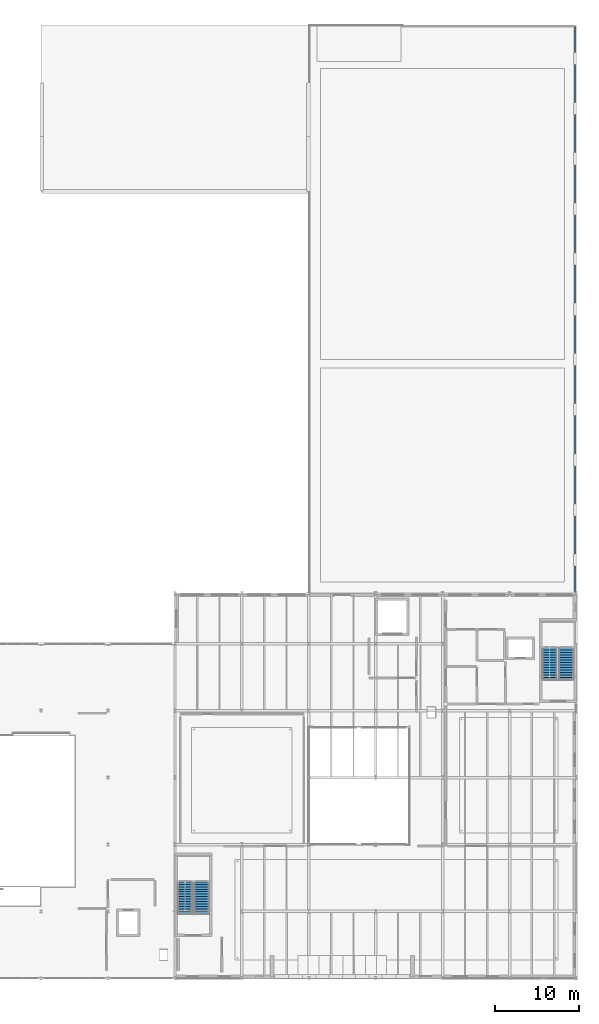
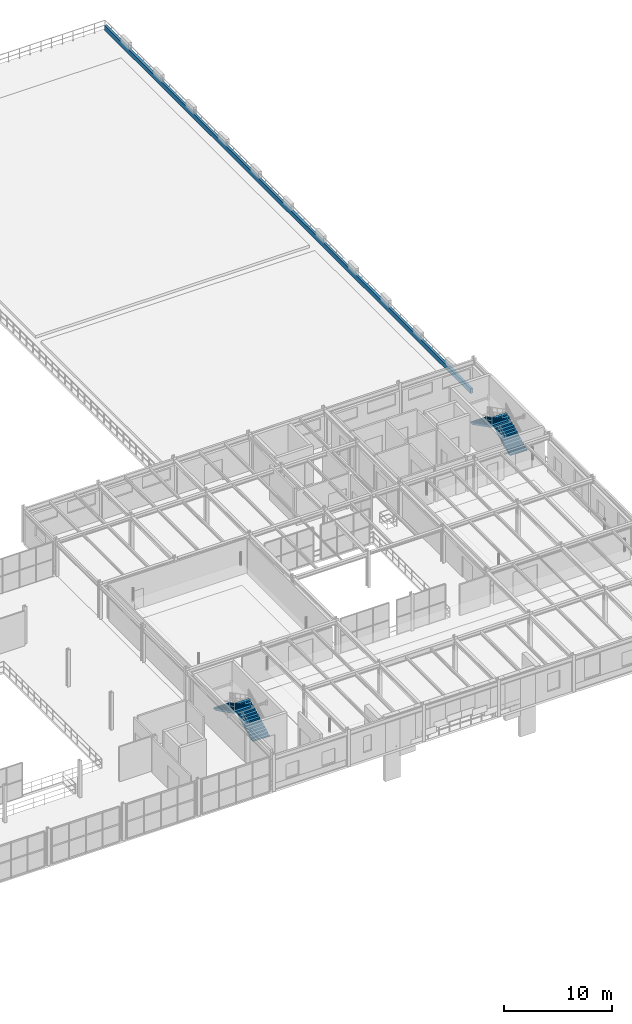
# One storey, part 44 of 67: 4 stair flights, 1 wall, 2 elements without a shape of their own.
"""IFC4 building model written with IfcOpenShell, lengths in metres."""

from ifc_helpers import new_model, si_unit, direction, frame, frame_2d, origin, place, context, subcontext, project, spatial, polyline, rectangle, outline, extrude, material, layer, layer_set, type_object, element, aggregate, save


model = new_model("IFC4")

# Units and contexts
model_context = context("Model", 3, precision=1e-05, world=origin(), true_north=direction((0.0, 1.0)))
body_context = subcontext(model_context, "Body", "Model", "MODEL_VIEW")
ifc_project = project(units=[si_unit("LENGTHUNIT", "METRE"), si_unit("AREAUNIT", "SQUARE_METRE"), si_unit("VOLUMEUNIT", "CUBIC_METRE"), si_unit("PLANEANGLEUNIT", "RADIAN"), si_unit("MASSUNIT", "GRAM", prefix="KILO")], contexts=[model_context])

# Site, building, storey
site_placement = place(None, origin())
site = spatial("IfcSite", under=ifc_project, at=site_placement, CompositionType="ELEMENT")
building_placement = place(site_placement, origin())
building = spatial("IfcBuilding", under=site, at=building_placement, Name="Sundkrona Museum", CompositionType="ELEMENT")
storey_placement = place(building_placement, frame((0.0, 0.0, 21.800048828125)))
storey = spatial("IfcBuildingStorey", under=building, at=storey_placement, Name="L04", CompositionType="ELEMENT", Elevation=21.800048828125)

# Wall
ifc_material_1 = material(Name="Copper-capped Scanian Brick Masonry 250 mm", Category="masonry")
ifc_layer = layer(ifc_material_1, 0.25)
ifc_layer_set = layer_set([ifc_layer], Name="Copper-capped Scanian Brick Masonry 250 mm")
wall_type = type_object("IfcWallType", Name="W-PR-250", PredefinedType="PARAPET", material=ifc_layer_set)
wall_placement = place(storey_placement, frame((167.85009765625, 46.199951171875, 0.0), z_axis=(0.0, 0.0, 1.0), x_axis=(0.0, 1.0, 0.0)))
element("IfcWall", 1, at=wall_placement, inside=storey, type_object=wall_type, Name="L04 Roof Parapet Upstand 03", PredefinedType="PARAPET", context=body_context, shape_type="SweptSolid", body=[
    extrude(rectangle(XDim=67.60009765625, YDim=0.25, at=frame_2d((33.800048828125, 0.0))), origin(), (0.0, 0.0, 1.0), 0.550048828125),
])

# Stair, stair flights
ifc_material_2 = material(Name="Concrete C35/45", Category="concrete")
stair_type = type_object("IfcStairType", Name="ST-DL-420", PredefinedType="HALF_TURN_STAIR", material=ifc_material_2)
stair_1_placement = place(storey_placement, origin())
stair_1 = element("IfcStair", 2, at=stair_1_placement, inside=storey, type_object=stair_type, Name="L04 Protected Stair Core ST-1", PredefinedType="HALF_TURN_STAIR")
stair_flight_type = type_object("IfcStairFlightType", Name="SF-180-210", PredefinedType="STRAIGHT", material=ifc_material_2)
stair_flight_1_placement = place(storey_placement, frame((166.800048828125, 35.699951171875, 0.0), z_axis=(0.0, 0.0, 1.0), x_axis=(0.0, 1.0, 0.0)))
stair_flight_1 = element("IfcStairFlight", 3, at=stair_flight_1_placement, type_object=stair_flight_type, Name="L04 Protected Stair Core ST-1 Flight 1", NumberOfRisers=14, NumberOfTreads=13, PredefinedType="STRAIGHT", RiserHeight=0.15, TreadLength=0.295, context=body_context, shape_type="SweptSolid", body=[
    extrude(outline(polyline([(0.0, 0.0), (0.0, 0.14990234375), (0.294921875, 0.14990234375), (0.294921875, 0.300048828125), (0.590087890625, 0.300048828125), (0.590087890625, 0.449951171875), (0.885009765625, 0.449951171875), (0.885009765625, 0.60009765625), (1.179931640625, 0.60009765625), (1.179931640625, 0.75), (1.47509765625, 0.75), (1.47509765625, 0.89990234375), (1.77001953125, 0.89990234375), (1.77001953125, 1.050048828125), (2.06494140625, 1.050048828125), (2.06494140625, 1.199951171875), (2.360107421875, 1.199951171875), (2.360107421875, 1.35009765625), (2.655029296875, 1.35009765625), (2.655029296875, 1.5), (2.949951171875, 1.5), (2.949951171875, 1.64990234375), (3.2451171875, 1.64990234375), (3.2451171875, 1.800048828125), (3.5400390625, 1.800048828125), (3.5400390625, 1.949951171875), (3.8349609375, 1.949951171875), (3.8349609375, 2.10009765625), (3.8349609375, 1.7705078125), (0.352783203125, 0.0), (0.0, 0.0)])), frame((0.0, 0.89990234375, 0.0), z_axis=(0.0, -1.0, 0.0), x_axis=(1.0, 0.0, 0.0)), (0.0, 0.0, 1.0), 1.800048828125),
])
stair_flight_2_placement = place(storey_placement, frame((164.800048828125, 39.534912109375, 2.099853515625), z_axis=(0.0, 0.0, 1.0), x_axis=(0.0, -1.0, 0.0)))
stair_flight_2 = element("IfcStairFlight", 4, at=stair_flight_2_placement, type_object=stair_flight_type, Name="L04 Protected Stair Core ST-1 Flight 2", NumberOfRisers=14, NumberOfTreads=13, PredefinedType="STRAIGHT", RiserHeight=0.15, TreadLength=0.295, context=body_context, shape_type="SweptSolid", body=[
    extrude(outline(polyline([(0.0, 0.0), (0.0, 0.14990234375), (0.294921875, 0.14990234375), (0.294921875, 0.300048828125), (0.590087890625, 0.300048828125), (0.590087890625, 0.449951171875), (0.885009765625, 0.449951171875), (0.885009765625, 0.60009765625), (1.179931640625, 0.60009765625), (1.179931640625, 0.75), (1.47509765625, 0.75), (1.47509765625, 0.89990234375), (1.77001953125, 0.89990234375), (1.77001953125, 1.050048828125), (2.06494140625, 1.050048828125), (2.06494140625, 1.199951171875), (2.360107421875, 1.199951171875), (2.360107421875, 1.35009765625), (2.655029296875, 1.35009765625), (2.655029296875, 1.5), (2.949951171875, 1.5), (2.949951171875, 1.64990234375), (3.2451171875, 1.64990234375), (3.2451171875, 1.800048828125), (3.5400390625, 1.800048828125), (3.5400390625, 1.949951171875), (3.8349609375, 1.949951171875), (3.8349609375, 2.10009765625), (3.8349609375, 1.7705078125), (0.352783203125, 0.0), (0.0, 0.0)])), frame((0.0, 0.89990234375, 0.0), z_axis=(0.0, -1.0, 0.0), x_axis=(1.0, 0.0, 0.0)), (0.0, 0.0, 1.0), 1.800048828125),
])
aggregate(stair_1, [stair_flight_1, stair_flight_2])

stair_2_placement = place(storey_placement, origin())
stair_2 = element("IfcStair", 5, at=stair_2_placement, inside=storey, type_object=stair_type, Name="L04 Protected Stair Core ST-2", PredefinedType="HALF_TURN_STAIR")
stair_flight_3_placement = place(storey_placement, frame((123.199951171875, 7.699951171875, 0.0), z_axis=(0.0, 0.0, 1.0), x_axis=(0.0, 1.0, 0.0)))
stair_flight_3 = element("IfcStairFlight", 6, at=stair_flight_3_placement, type_object=stair_flight_type, Name="L04 Protected Stair Core ST-2 Flight 1", NumberOfRisers=14, NumberOfTreads=13, PredefinedType="STRAIGHT", RiserHeight=0.15, TreadLength=0.295, context=body_context, shape_type="SweptSolid", body=[
    extrude(outline(polyline([(0.0, 0.0), (0.0, 0.14990234375), (0.294921875, 0.14990234375), (0.294921875, 0.300048828125), (0.590087890625, 0.300048828125), (0.590087890625, 0.449951171875), (0.885009765625, 0.449951171875), (0.885009765625, 0.60009765625), (1.179931640625, 0.60009765625), (1.179931640625, 0.75), (1.47509765625, 0.75), (1.47509765625, 0.89990234375), (1.77001953125, 0.89990234375), (1.77001953125, 1.050048828125), (2.06494140625, 1.050048828125), (2.06494140625, 1.199951171875), (2.360107421875, 1.199951171875), (2.360107421875, 1.35009765625), (2.655029296875, 1.35009765625), (2.655029296875, 1.5), (2.949951171875, 1.5), (2.949951171875, 1.64990234375), (3.2451171875, 1.64990234375), (3.2451171875, 1.800048828125), (3.5400390625, 1.800048828125), (3.5400390625, 1.949951171875), (3.8349609375, 1.949951171875), (3.8349609375, 2.10009765625), (3.8349609375, 1.7705078125), (0.352783203125, 0.0), (0.0, 0.0)])), frame((0.0, 0.89990234375, 0.0), z_axis=(0.0, -1.0, 0.0), x_axis=(1.0, 0.0, 0.0)), (0.0, 0.0, 1.0), 1.800048828125),
])
stair_flight_4_placement = place(storey_placement, frame((121.199951171875, 11.534912109375, 2.099853515625), z_axis=(0.0, 0.0, 1.0), x_axis=(0.0, -1.0, 0.0)))
stair_flight_4 = element("IfcStairFlight", 7, at=stair_flight_4_placement, type_object=stair_flight_type, Name="L04 Protected Stair Core ST-2 Flight 2", NumberOfRisers=14, NumberOfTreads=13, PredefinedType="STRAIGHT", RiserHeight=0.15, TreadLength=0.295, context=body_context, shape_type="SweptSolid", body=[
    extrude(outline(polyline([(0.0, 0.0), (0.0, 0.14990234375), (0.294921875, 0.14990234375), (0.294921875, 0.300048828125), (0.590087890625, 0.300048828125), (0.590087890625, 0.449951171875), (0.885009765625, 0.449951171875), (0.885009765625, 0.60009765625), (1.179931640625, 0.60009765625), (1.179931640625, 0.75), (1.47509765625, 0.75), (1.47509765625, 0.89990234375), (1.77001953125, 0.89990234375), (1.77001953125, 1.050048828125), (2.06494140625, 1.050048828125), (2.06494140625, 1.199951171875), (2.360107421875, 1.199951171875), (2.360107421875, 1.35009765625), (2.655029296875, 1.35009765625), (2.655029296875, 1.5), (2.949951171875, 1.5), (2.949951171875, 1.64990234375), (3.2451171875, 1.64990234375), (3.2451171875, 1.800048828125), (3.5400390625, 1.800048828125), (3.5400390625, 1.949951171875), (3.8349609375, 1.949951171875), (3.8349609375, 2.10009765625), (3.8349609375, 1.7705078125), (0.352783203125, 0.0), (0.0, 0.0)])), frame((0.0, 0.89990234375, 0.0), z_axis=(0.0, -1.0, 0.0), x_axis=(1.0, 0.0, 0.0)), (0.0, 0.0, 1.0), 1.800048828125),
])
aggregate(stair_2, [stair_flight_3, stair_flight_4])

save(model, "model.ifc")
